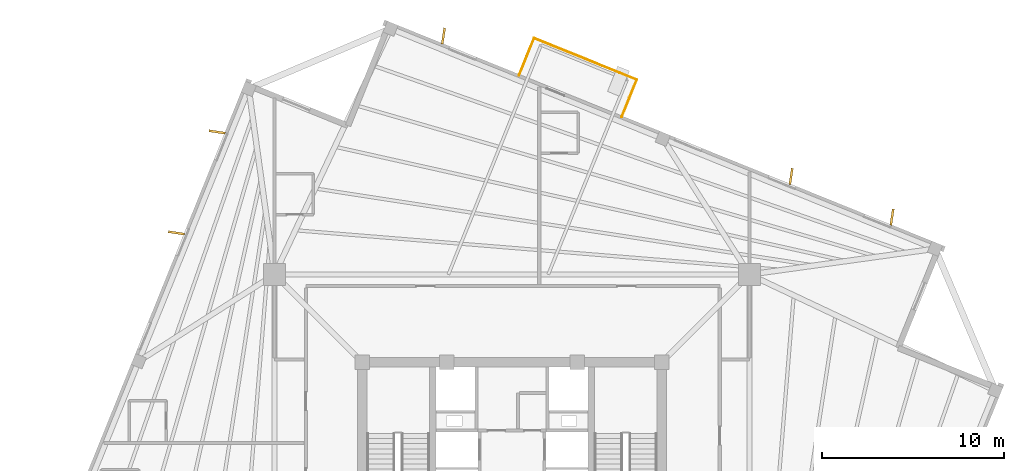
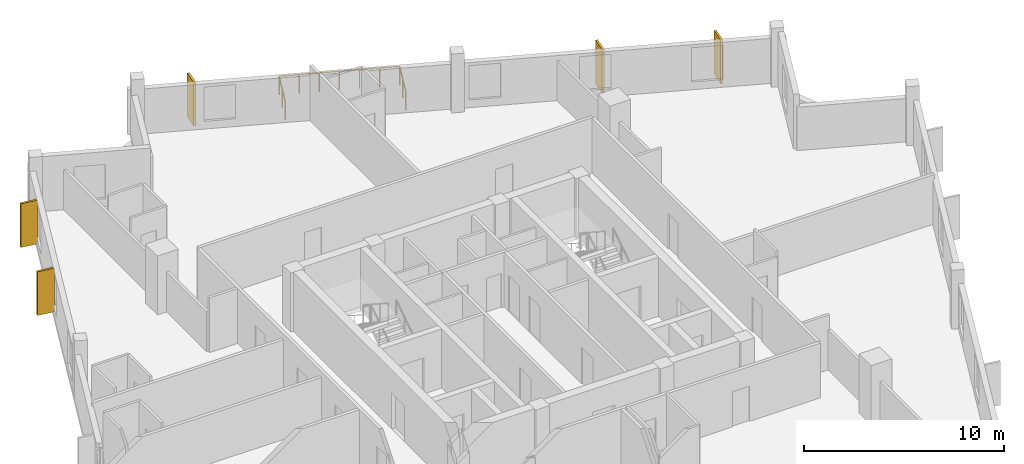
# One storey, part 8 of 8: 5 coverings, 3 railings.
"""IFC4 building model written with IfcOpenShell, lengths in metres."""

from ifc_helpers import new_model, si_unit, direction, frame, origin, origin_2d, place, context, subcontext, project, spatial, rectangle, circle, extrude, source, transform, mapped, material, layer, layer_set, type_object, element, save


model = new_model("IFC4")

# Units and contexts
model_context = context("Model", 3, precision=1e-05, world=origin(), true_north=direction((0.0, 1.0)))
body_context = subcontext(model_context, "Body", "Model", "MODEL_VIEW")
ifc_project = project(units=[si_unit("LENGTHUNIT", "METRE"), si_unit("AREAUNIT", "SQUARE_METRE"), si_unit("VOLUMEUNIT", "CUBIC_METRE"), si_unit("PLANEANGLEUNIT", "RADIAN"), si_unit("MASSUNIT", "GRAM", prefix="KILO"), si_unit("THERMODYNAMICTEMPERATUREUNIT", "KELVIN")], contexts=[model_context])

# Site, building, storey
site_placement = place(None, origin())
site = spatial("IfcSite", under=ifc_project, at=site_placement, CompositionType="ELEMENT")
building_placement = place(site_placement, origin())
building = spatial("IfcBuilding", under=site, at=building_placement, Name="Kosmvard Interchange Tower", CompositionType="ELEMENT")
storey_placement = place(building_placement, frame((0.0, 0.0, 286.800048828125)))
storey = spatial("IfcBuildingStorey", under=building, at=storey_placement, Name="L70", CompositionType="ELEMENT", Elevation=286.800048828125)

# Coverings
ifc_material_1 = material(Name="Architectural anodised aluminium", Category="aluminium")
ifc_layer = layer(ifc_material_1, 0.1201171875, Name="Architectural anodised aluminium")
ifc_layer_set = layer_set([ifc_layer], Name="Architectural anodised aluminium")
covering_type = type_object("IfcCoveringType", Name="Rotating Vertical Sun-Breaker Fin 900x120 Aluminium", PredefinedType="CLADDING", material=ifc_layer_set)
shared_shape_1 = source(origin(), body_context, "Body", "SweptSolid", [
    extrude(rectangle(XDim=0.89990234375, YDim=0.1201171875, at=origin_2d()), origin(), (0.0, 0.0, 1.0), 2.669921875),
])
for number, where, z_axis, x_axis, name in (
    (1, (20.932373046875, 16.2412109375, 0.0400390625), (0.0, 0.0, 1.0), (0.151260820247, 0.988493886809, 0.0), "L70 Rotating Vertical Sun-Breaker Fin 05"),
    (2, (15.373046875, 18.4873046875, 0.0400390625), (0.0, 0.0, 1.0), (0.151260820247, 0.988493886809, 0.0), "L70 Rotating Vertical Sun-Breaker Fin 06"),
    (3, (-3.775390625, 26.223876953125, 0.0400390625), (0.0, 0.0, 1.0), (0.151260820247, 0.988493886809, 0.0), "L70 Rotating Vertical Sun-Breaker Fin 07"),
    (4, (-16.2412109375, 20.932373046875, 0.0400390625), (0.0, 0.0, 1.0), (-0.988493886809, 0.151260820247, 0.0), "L70 Rotating Vertical Sun-Breaker Fin 08"),
    (5, (-18.4873046875, 15.373046875, 0.0400390625), (0.0, 0.0, 1.0), (-0.988493886809, 0.151260820247, 0.0), "L70 Rotating Vertical Sun-Breaker Fin 09"),
):
    element("IfcCovering", number, at=place(storey_placement, frame(where, z_axis=z_axis, x_axis=x_axis)), inside=storey, type_object=covering_type, Name=name, PredefinedType="CLADDING", context=body_context, shape_type="MappedRepresentation", body=[
        mapped(shared_shape_1, transform((0.0, 0.0, 0.0), scale=1.0)),
    ])

# Railings
ifc_material_2 = material(Name="Steel S355", Category="steel")
railing_type = type_object("IfcRailingType", Name="Observation & Balcony Glass-Infill Balustrade 1150", PredefinedType="BALUSTRADE", material=ifc_material_2)
shared_shape_2 = source(origin(), body_context, "Body", "SweptSolid", [
    extrude(circle(Radius=0.02392578125, at=origin_2d()), frame((0.0, 0.0, 1.1259765625), z_axis=(0.374545618852, 0.927208487558, 0.0), x_axis=(-0.927208487558, 0.374545618852, 0.0)), (0.0, 0.0, 1.0), 2.199951171875),
    extrude(circle(Radius=0.02099609375, at=origin_2d()), origin(), (0.0, 0.0, 1.0), 1.101806640625),
    extrude(circle(Radius=0.02099609375, at=origin_2d()), frame((0.412109375, 1.02001953125, 0.0)), (0.0, 0.0, 1.0), 1.101806640625),
    extrude(circle(Radius=0.02099609375, at=origin_2d()), frame((0.823974609375, 2.039794921875, 0.0)), (0.0, 0.0, 1.0), 1.101806640625),
])
railing_1_placement = place(storey_placement, frame((6.045654296875, 21.7705078125, 0.0)))
element("IfcRailing", 6, at=railing_1_placement, inside=storey, type_object=railing_type, Name="L70 Outdoor Terrace Guard BAL-L70-E-A", PredefinedType="BALUSTRADE", context=body_context, shape_type="MappedRepresentation", body=[
    mapped(shared_shape_2, transform((0.0, 0.0, 0.0), scale=1.0)),
])
shared_shape_3 = source(origin(), body_context, "Body", "SweptSolid", [
    extrude(circle(Radius=0.02392578125, at=origin_2d()), frame((0.0, 0.0, 1.1259765625), z_axis=(-0.927179288599, 0.374617894384, 0.0), x_axis=(-0.374617894384, -0.927179288599, 0.0)), (0.0, 0.0, 1.0), 6.099853515625),
    extrude(circle(Radius=0.02099609375, at=origin_2d()), origin(), (0.0, 0.0, 1.0), 1.101806640625),
    extrude(circle(Radius=0.02099609375, at=origin_2d()), frame((-0.942626953125, 0.380859375, 0.0)), (0.0, 0.0, 1.0), 1.101806640625),
    extrude(circle(Radius=0.02099609375, at=origin_2d()), frame((-1.88525390625, 0.76171875, 0.0)), (0.0, 0.0, 1.0), 1.101806640625),
    extrude(circle(Radius=0.02099609375, at=origin_2d()), frame((-2.827880859375, 1.142578125, 0.0)), (0.0, 0.0, 1.0), 1.101806640625),
    extrude(circle(Radius=0.02099609375, at=origin_2d()), frame((-3.7705078125, 1.5234375, 0.0)), (0.0, 0.0, 1.0), 1.101806640625),
    extrude(circle(Radius=0.02099609375, at=origin_2d()), frame((-4.713134765625, 1.904296875, 0.0)), (0.0, 0.0, 1.0), 1.101806640625),
    extrude(circle(Radius=0.02099609375, at=origin_2d()), frame((-5.65576171875, 2.28515625, 0.0)), (0.0, 0.0, 1.0), 1.101806640625),
])
railing_2_placement = place(storey_placement, frame((6.86962890625, 23.810302734375, 0.0)))
element("IfcRailing", 7, at=railing_2_placement, inside=storey, type_object=railing_type, Name="L70 Outdoor Terrace Guard BAL-L70-E-B", PredefinedType="BALUSTRADE", context=body_context, shape_type="MappedRepresentation", body=[
    mapped(shared_shape_3, transform((0.0, 0.0, 0.0), scale=1.0)),
])
shared_shape_4 = source(origin(), body_context, "Body", "SweptSolid", [
    extrude(circle(Radius=0.02392578125, at=origin_2d()), frame((0.0, 0.0, 1.1259765625), z_axis=(-0.374545618852, -0.927208487558, 0.0), x_axis=(0.927208487558, -0.374545618852, 0.0)), (0.0, 0.0, 1.0), 2.199951171875),
    extrude(circle(Radius=0.02099609375, at=origin_2d()), origin(), (0.0, 0.0, 1.0), 1.101806640625),
    extrude(circle(Radius=0.02099609375, at=origin_2d()), frame((-0.412109375, -1.02001953125, 0.0)), (0.0, 0.0, 1.0), 1.101806640625),
    extrude(circle(Radius=0.02099609375, at=origin_2d()), frame((-0.823974609375, -2.039794921875, 0.0)), (0.0, 0.0, 1.0), 1.101806640625),
])
railing_3_placement = place(storey_placement, frame((1.2138671875, 26.095458984375, 0.0)))
element("IfcRailing", 8, at=railing_3_placement, inside=storey, type_object=railing_type, Name="L70 Outdoor Terrace Guard BAL-L70-E-C", PredefinedType="BALUSTRADE", context=body_context, shape_type="MappedRepresentation", body=[
    mapped(shared_shape_4, transform((0.0, 0.0, 0.0), scale=1.0)),
])

save(model, "model.ifc")
